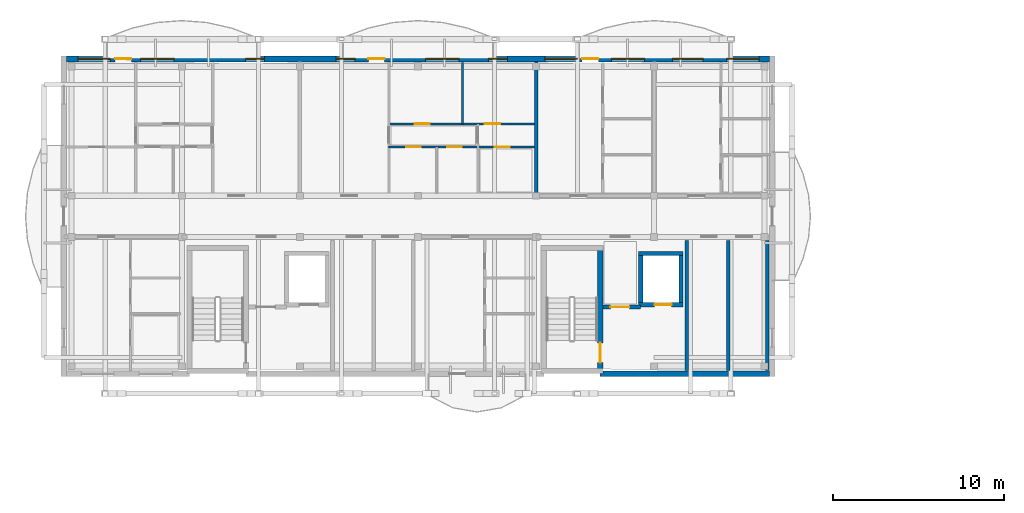
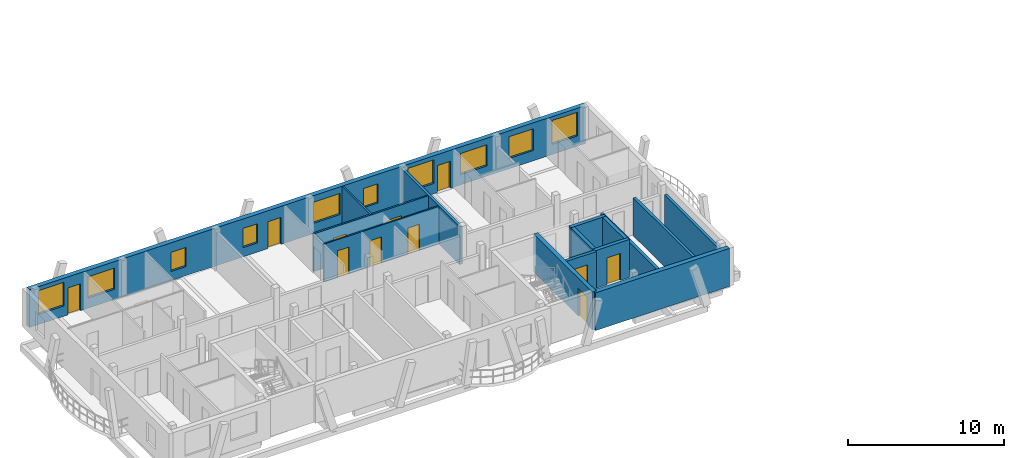
# One storey, part 16 of 29: 15 walls, 11 doors, 10 windows, 21 openings.
"""IFC4 building model written with IfcOpenShell, lengths in metres."""

from ifc_helpers import new_model, si_unit, direction, frame, frame_2d, origin, origin_with_axes, place, context, subcontext, project, spatial, rectangle, extrude, material, layer, layer_set, type_object, element, fill, save


model = new_model("IFC4")

# Units and contexts
model_context = context("Model", 3, precision=1e-05, world=origin(), true_north=direction((0.0, 1.0)))
body_context = subcontext(model_context, "Body", "Model", "MODEL_VIEW")
ifc_project = project(units=[si_unit("LENGTHUNIT", "METRE"), si_unit("AREAUNIT", "SQUARE_METRE"), si_unit("VOLUMEUNIT", "CUBIC_METRE"), si_unit("PLANEANGLEUNIT", "RADIAN"), si_unit("MASSUNIT", "GRAM", prefix="KILO")], contexts=[model_context])

# Site, building, storey
site_placement = place(None, origin())
site = spatial("IfcSite", under=ifc_project, at=site_placement, CompositionType="ELEMENT")
building_placement = place(site_placement, origin())
building = spatial("IfcBuilding", under=site, at=building_placement, Name="Zavelmont Quarter", CompositionType="ELEMENT")
storey_placement = place(building_placement, frame((0.0, 0.0, 33.60009765625)))
storey = spatial("IfcBuildingStorey", under=building, at=storey_placement, Name="L10", CompositionType="ELEMENT", Elevation=33.60009765625)

# Wall
ifc_material_1 = material(Name="Natural Belgian limestone", Category="masonry")
ifc_layer_1 = layer(ifc_material_1, 0.340087890625)
ifc_layer_set_1 = layer_set([ifc_layer_1], Name="Natural Belgian limestone")
wall_type_1 = type_object("IfcWallType", Name="EW03", PredefinedType="STANDARD", material=ifc_layer_set_1)
wall_1_placement = place(storey_placement, frame((31.35009765625, 97.60009765625, 0.0), z_axis=(0.0, 0.0, 1.0), x_axis=(1.0, 0.0, 0.0)))
element("IfcWall", 1, at=wall_1_placement, inside=storey, type_object=wall_type_1, Name="L10 exterior limestone wall EW03", PredefinedType="STANDARD", context=body_context, shape_type="SweptSolid", body=[
    extrude(rectangle(XDim=9.889892578125, YDim=0.340087890625, at=frame_2d((4.94482421875, 0.0))), origin(), (0.0, 0.0, 1.0), 2.9599609375),
])

# Wall, openings, doors, windows
wall_2_placement = place(storey_placement, frame((0.159912109375, 116.0, 0.0), z_axis=(0.0, 0.0, 1.0), x_axis=(1.0, 0.0, 0.0)))
wall_2 = element("IfcWall", 2, at=wall_2_placement, inside=storey, type_object=wall_type_1, Name="L10 exterior limestone wall EW03", PredefinedType="STANDARD", context=body_context, shape_type="SweptSolid", body=[
    extrude(rectangle(XDim=41.080078125, YDim=0.340087890625, at=frame_2d((20.5400390625, 0.0))), origin(), (0.0, 0.0, 1.0), 2.9599609375),
])
opening_1_placement = place(wall_2_placement, frame((2.83544921875, 0.0, 0.0)))
opening_1 = element("IfcOpeningElement", 3, at=opening_1_placement, cuts=wall_2, Name="Opening DR04", PredefinedType="OPENING", context=body_context, shape_type="SweptSolid", body=[
    extrude(rectangle(XDim=0.949951171875, YDim=2.10009765625, at=frame_2d((0.47509765625, 1.050048828125))), frame((0.0, 0.18212890625, 0.0), z_axis=(0.0, -1.0, 0.0), x_axis=(1.0, 0.0, 0.0)), (0.0, 0.0, 1.0), 0.364013671875),
])
opening_2_placement = place(wall_2_placement, frame((17.635498046875, 0.0, 0.0)))
opening_2 = element("IfcOpeningElement", 4, at=opening_2_placement, cuts=wall_2, Name="Opening DR04", PredefinedType="OPENING", context=body_context, shape_type="SweptSolid", body=[
    extrude(rectangle(XDim=0.949951171875, YDim=2.10009765625, at=frame_2d((0.47509765625, 1.050048828125))), frame((0.0, 0.18212890625, 0.0), z_axis=(0.0, -1.0, 0.0), x_axis=(1.0, 0.0, 0.0)), (0.0, 0.0, 1.0), 0.364013671875),
])
opening_3_placement = place(wall_2_placement, frame((30.135498046875, 0.0, 0.0)))
opening_3 = element("IfcOpeningElement", 5, at=opening_3_placement, cuts=wall_2, Name="Opening DR04", PredefinedType="OPENING", context=body_context, shape_type="SweptSolid", body=[
    extrude(rectangle(XDim=0.949951171875, YDim=2.10009765625, at=frame_2d((0.47509765625, 1.050048828125))), frame((0.0, 0.18212890625, 0.0), z_axis=(0.0, -1.0, 0.0), x_axis=(1.0, 0.0, 0.0)), (0.0, 0.0, 1.0), 0.364013671875),
])
opening_4_placement = place(wall_2_placement, frame((0.659912109375, 0.0, 0.800048828125)))
opening_4 = element("IfcOpeningElement", 6, at=opening_4_placement, cuts=wall_2, Name="Opening WN20", PredefinedType="OPENING", context=body_context, shape_type="SweptSolid", body=[
    extrude(rectangle(XDim=1.89990234375, YDim=1.85009765625, at=frame_2d((0.949951171875, 0.925048828125))), frame((0.0, 0.18212890625, 0.0), z_axis=(0.0, -1.0, 0.0), x_axis=(1.0, 0.0, 0.0)), (0.0, 0.0, 1.0), 0.364013671875),
])
opening_5_placement = place(wall_2_placement, frame((4.3349609375, 0.0, 0.800048828125)))
opening_5 = element("IfcOpeningElement", 7, at=opening_5_placement, cuts=wall_2, Name="Opening WN24", PredefinedType="OPENING", context=body_context, shape_type="SweptSolid", body=[
    extrude(rectangle(XDim=1.949951171875, YDim=1.64990234375, at=frame_2d((0.97509765625, 0.824951171875))), frame((0.0, 0.18212890625, 0.0), z_axis=(0.0, -1.0, 0.0), x_axis=(1.0, 0.0, 0.0)), (0.0, 0.0, 1.0), 0.364013671875),
])
opening_6_placement = place(wall_2_placement, frame((10.4599609375, 0.0, 0.719970703125)))
opening_6 = element("IfcOpeningElement", 8, at=opening_6_placement, cuts=wall_2, Name="Opening WN09", PredefinedType="OPENING", context=body_context, shape_type="SweptSolid", body=[
    extrude(rectangle(XDim=1.10009765625, YDim=1.5, at=frame_2d((0.550048828125, 0.75))), frame((0.0, 0.18212890625, 0.0), z_axis=(0.0, -1.0, 0.0), x_axis=(1.0, 0.0, 0.0)), (0.0, 0.0, 1.0), 0.364013671875),
])
opening_7_placement = place(wall_2_placement, frame((15.760009765625, 0.0, 0.719970703125)))
opening_7 = element("IfcOpeningElement", 9, at=opening_7_placement, cuts=wall_2, Name="Opening WN09", PredefinedType="OPENING", context=body_context, shape_type="SweptSolid", body=[
    extrude(rectangle(XDim=1.10009765625, YDim=1.5, at=frame_2d((0.550048828125, 0.75))), frame((0.0, 0.18212890625, 0.0), z_axis=(0.0, -1.0, 0.0), x_axis=(1.0, 0.0, 0.0)), (0.0, 0.0, 1.0), 0.364013671875),
])
opening_8_placement = place(wall_2_placement, frame((20.992431640625, 0.0, 0.800048828125)))
opening_8 = element("IfcOpeningElement", 10, at=opening_8_placement, cuts=wall_2, Name="Opening WN24", PredefinedType="OPENING", context=body_context, shape_type="SweptSolid", body=[
    extrude(rectangle(XDim=1.949951171875, YDim=1.64990234375, at=frame_2d((0.97509765625, 0.824951171875))), frame((0.0, 0.18212890625, 0.0), z_axis=(0.0, -1.0, 0.0), x_axis=(1.0, 0.0, 0.0)), (0.0, 0.0, 1.0), 0.364013671875),
])
opening_9_placement = place(wall_2_placement, frame((24.659912109375, 0.0, 0.719970703125)))
opening_9 = element("IfcOpeningElement", 11, at=opening_9_placement, cuts=wall_2, Name="Opening WN09", PredefinedType="OPENING", context=body_context, shape_type="SweptSolid", body=[
    extrude(rectangle(XDim=1.10009765625, YDim=1.5, at=frame_2d((0.550048828125, 0.75))), frame((0.0, 0.18212890625, 0.0), z_axis=(0.0, -1.0, 0.0), x_axis=(1.0, 0.0, 0.0)), (0.0, 0.0, 1.0), 0.364013671875),
])
opening_10_placement = place(wall_2_placement, frame((27.9599609375, 0.0, 0.800048828125)))
opening_10 = element("IfcOpeningElement", 12, at=opening_10_placement, cuts=wall_2, Name="Opening WN20", PredefinedType="OPENING", context=body_context, shape_type="SweptSolid", body=[
    extrude(rectangle(XDim=1.89990234375, YDim=1.85009765625, at=frame_2d((0.949951171875, 0.925048828125))), frame((0.0, 0.18212890625, 0.0), z_axis=(0.0, -1.0, 0.0), x_axis=(1.0, 0.0, 0.0)), (0.0, 0.0, 1.0), 0.364013671875),
])
opening_11_placement = place(wall_2_placement, frame((31.8349609375, 0.0, 0.800048828125)))
opening_11 = element("IfcOpeningElement", 13, at=opening_11_placement, cuts=wall_2, Name="Opening WN24", PredefinedType="OPENING", context=body_context, shape_type="SweptSolid", body=[
    extrude(rectangle(XDim=1.949951171875, YDim=1.64990234375, at=frame_2d((0.97509765625, 0.824951171875))), frame((0.0, 0.18212890625, 0.0), z_axis=(0.0, -1.0, 0.0), x_axis=(1.0, 0.0, 0.0)), (0.0, 0.0, 1.0), 0.364013671875),
])
opening_12_placement = place(wall_2_placement, frame((35.409912109375, 0.0, 0.800048828125)))
opening_12 = element("IfcOpeningElement", 14, at=opening_12_placement, cuts=wall_2, Name="Opening WN02", PredefinedType="OPENING", context=body_context, shape_type="SweptSolid", body=[
    extrude(rectangle(XDim=1.800048828125, YDim=1.699951171875, at=frame_2d((0.89990234375, 0.85009765625))), frame((0.0, 0.18212890625, 0.0), z_axis=(0.0, -1.0, 0.0), x_axis=(1.0, 0.0, 0.0)), (0.0, 0.0, 1.0), 0.364013671875),
])
opening_13_placement = place(wall_2_placement, frame((38.574951171875, 0.0, 0.800048828125)))
opening_13 = element("IfcOpeningElement", 15, at=opening_13_placement, cuts=wall_2, Name="Opening WN20", PredefinedType="OPENING", context=body_context, shape_type="SweptSolid", body=[
    extrude(rectangle(XDim=1.89990234375, YDim=1.85009765625, at=frame_2d((0.949951171875, 0.925048828125))), frame((0.0, 0.18212890625, 0.0), z_axis=(0.0, -1.0, 0.0), x_axis=(1.0, 0.0, 0.0)), (0.0, 0.0, 1.0), 0.364013671875),
])
ifc_material_2 = material(Name="Thermally broken aluminium and double safety glass", Category="aluminium")
door_type_1 = type_object("IfcDoorType", Name="DR04", OperationType="NOTDEFINED", PredefinedType="DOOR", material=ifc_material_2)
door_1_placement = place(opening_1_placement, frame((0.949951171875, 0.0, 0.0), z_axis=(0.0, 0.0, 1.0), x_axis=(-1.0, 0.0, 0.0)))
door_1 = element("IfcDoor", 16, at=door_1_placement, inside=storey, type_object=door_type_1, Name="Block B L10 glazed balcony door", OperationType="SINGLE_SWING_LEFT", OverallHeight=2.10009765625, OverallWidth=0.949951171875, PredefinedType="DOOR", context=body_context, shape_type="SweptSolid", body=[
    extrude(rectangle(XDim=0.949951171875, YDim=2.10009765625, at=frame_2d((0.47509765625, 1.050048828125))), frame((0.0, 0.02490234375, 0.0), z_axis=(0.0, -1.0, 0.0), x_axis=(1.0, 0.0, 0.0)), (0.0, 0.0, 1.0), 0.050048828125),
])
fill(opening_1, door_1)
door_2_placement = place(opening_2_placement, frame((0.949951171875, 0.0, 0.0), z_axis=(0.0, 0.0, 1.0), x_axis=(-1.0, 0.0, 0.0)))
door_2 = element("IfcDoor", 17, at=door_2_placement, inside=storey, type_object=door_type_1, Name="Block B L10 glazed balcony door", OperationType="SINGLE_SWING_LEFT", OverallHeight=2.10009765625, OverallWidth=0.949951171875, PredefinedType="DOOR", context=body_context, shape_type="SweptSolid", body=[
    extrude(rectangle(XDim=0.949951171875, YDim=2.10009765625, at=frame_2d((0.47509765625, 1.050048828125))), frame((0.0, 0.02490234375, 0.0), z_axis=(0.0, -1.0, 0.0), x_axis=(1.0, 0.0, 0.0)), (0.0, 0.0, 1.0), 0.050048828125),
])
fill(opening_2, door_2)
door_3_placement = place(opening_3_placement, frame((0.949951171875, 0.0, 0.0), z_axis=(0.0, 0.0, 1.0), x_axis=(-1.0, 0.0, 0.0)))
door_3 = element("IfcDoor", 18, at=door_3_placement, inside=storey, type_object=door_type_1, Name="Block B L10 glazed balcony door", OperationType="SINGLE_SWING_LEFT", OverallHeight=2.10009765625, OverallWidth=0.949951171875, PredefinedType="DOOR", context=body_context, shape_type="SweptSolid", body=[
    extrude(rectangle(XDim=0.949951171875, YDim=2.10009765625, at=frame_2d((0.47509765625, 1.050048828125))), frame((0.0, 0.02490234375, 0.0), z_axis=(0.0, -1.0, 0.0), x_axis=(1.0, 0.0, 0.0)), (0.0, 0.0, 1.0), 0.050048828125),
])
fill(opening_3, door_3)
ifc_material_3 = material(Name="Double low-E insulated glazing in thermally broken aluminium frame", Category="aluminium")
window_type_1 = type_object("IfcWindowType", Name="WN02", PartitioningType="SINGLE_PANEL", PredefinedType="WINDOW", material=ifc_material_3)
window_1_placement = place(opening_12_placement, origin_with_axes())
window_1 = element("IfcWindow", 19, at=window_1_placement, inside=storey, type_object=window_type_1, Name="L10 window WN02", OverallHeight=1.699951171875, OverallWidth=1.800048828125, PartitioningType="SINGLE_PANEL", PredefinedType="WINDOW", context=body_context, shape_type="SweptSolid", body=[
    extrude(rectangle(XDim=1.800048828125, YDim=1.699951171875, at=frame_2d((0.89990234375, 0.85009765625))), frame((0.0, 0.030029296875, 0.0), z_axis=(0.0, -1.0, 0.0), x_axis=(1.0, 0.0, 0.0)), (0.0, 0.0, 1.0), 0.06005859375),
])
fill(opening_12, window_1)
window_type_2 = type_object("IfcWindowType", Name="WN09", PartitioningType="SINGLE_PANEL", PredefinedType="WINDOW", material=ifc_material_3)
window_2_placement = place(opening_6_placement, origin_with_axes())
window_2 = element("IfcWindow", 20, at=window_2_placement, inside=storey, type_object=window_type_2, Name="L10 window WN09", OverallHeight=1.5, OverallWidth=1.10009765625, PartitioningType="SINGLE_PANEL", PredefinedType="WINDOW", context=body_context, shape_type="SweptSolid", body=[
    extrude(rectangle(XDim=1.10009765625, YDim=1.5, at=frame_2d((0.550048828125, 0.75))), frame((0.0, 0.030029296875, 0.0), z_axis=(0.0, -1.0, 0.0), x_axis=(1.0, 0.0, 0.0)), (0.0, 0.0, 1.0), 0.06005859375),
])
fill(opening_6, window_2)
window_3_placement = place(opening_7_placement, origin_with_axes())
window_3 = element("IfcWindow", 21, at=window_3_placement, inside=storey, type_object=window_type_2, Name="L10 window WN09", OverallHeight=1.5, OverallWidth=1.10009765625, PartitioningType="SINGLE_PANEL", PredefinedType="WINDOW", context=body_context, shape_type="SweptSolid", body=[
    extrude(rectangle(XDim=1.10009765625, YDim=1.5, at=frame_2d((0.550048828125, 0.75))), frame((0.0, 0.030029296875, 0.0), z_axis=(0.0, -1.0, 0.0), x_axis=(1.0, 0.0, 0.0)), (0.0, 0.0, 1.0), 0.06005859375),
])
fill(opening_7, window_3)
window_4_placement = place(opening_9_placement, origin_with_axes())
window_4 = element("IfcWindow", 22, at=window_4_placement, inside=storey, type_object=window_type_2, Name="L10 window WN09", OverallHeight=1.5, OverallWidth=1.10009765625, PartitioningType="SINGLE_PANEL", PredefinedType="WINDOW", context=body_context, shape_type="SweptSolid", body=[
    extrude(rectangle(XDim=1.10009765625, YDim=1.5, at=frame_2d((0.550048828125, 0.75))), frame((0.0, 0.030029296875, 0.0), z_axis=(0.0, -1.0, 0.0), x_axis=(1.0, 0.0, 0.0)), (0.0, 0.0, 1.0), 0.06005859375),
])
fill(opening_9, window_4)
window_type_3 = type_object("IfcWindowType", Name="WN20", PartitioningType="SINGLE_PANEL", PredefinedType="WINDOW", material=ifc_material_3)
window_5_placement = place(opening_4_placement, origin_with_axes())
window_5 = element("IfcWindow", 23, at=window_5_placement, inside=storey, type_object=window_type_3, Name="L10 window WN20", OverallHeight=1.85009765625, OverallWidth=1.89990234375, PartitioningType="SINGLE_PANEL", PredefinedType="WINDOW", context=body_context, shape_type="SweptSolid", body=[
    extrude(rectangle(XDim=1.89990234375, YDim=1.85009765625, at=frame_2d((0.949951171875, 0.925048828125))), frame((0.0, 0.030029296875, 0.0), z_axis=(0.0, -1.0, 0.0), x_axis=(1.0, 0.0, 0.0)), (0.0, 0.0, 1.0), 0.06005859375),
])
fill(opening_4, window_5)
window_6_placement = place(opening_10_placement, origin_with_axes())
window_6 = element("IfcWindow", 24, at=window_6_placement, inside=storey, type_object=window_type_3, Name="L10 window WN20", OverallHeight=1.85009765625, OverallWidth=1.89990234375, PartitioningType="SINGLE_PANEL", PredefinedType="WINDOW", context=body_context, shape_type="SweptSolid", body=[
    extrude(rectangle(XDim=1.89990234375, YDim=1.85009765625, at=frame_2d((0.949951171875, 0.925048828125))), frame((0.0, 0.030029296875, 0.0), z_axis=(0.0, -1.0, 0.0), x_axis=(1.0, 0.0, 0.0)), (0.0, 0.0, 1.0), 0.06005859375),
])
fill(opening_10, window_6)
window_7_placement = place(opening_13_placement, origin_with_axes())
window_7 = element("IfcWindow", 25, at=window_7_placement, inside=storey, type_object=window_type_3, Name="L10 window WN20", OverallHeight=1.85009765625, OverallWidth=1.89990234375, PartitioningType="SINGLE_PANEL", PredefinedType="WINDOW", context=body_context, shape_type="SweptSolid", body=[
    extrude(rectangle(XDim=1.89990234375, YDim=1.85009765625, at=frame_2d((0.949951171875, 0.925048828125))), frame((0.0, 0.030029296875, 0.0), z_axis=(0.0, -1.0, 0.0), x_axis=(1.0, 0.0, 0.0)), (0.0, 0.0, 1.0), 0.06005859375),
])
fill(opening_13, window_7)
window_type_4 = type_object("IfcWindowType", Name="WN24", PartitioningType="SINGLE_PANEL", PredefinedType="WINDOW", material=ifc_material_3)
window_8_placement = place(opening_5_placement, origin_with_axes())
window_8 = element("IfcWindow", 26, at=window_8_placement, inside=storey, type_object=window_type_4, Name="L10 window WN24", OverallHeight=1.64990234375, OverallWidth=1.949951171875, PartitioningType="SINGLE_PANEL", PredefinedType="WINDOW", context=body_context, shape_type="SweptSolid", body=[
    extrude(rectangle(XDim=1.949951171875, YDim=1.64990234375, at=frame_2d((0.97509765625, 0.824951171875))), frame((0.0, 0.030029296875, 0.0), z_axis=(0.0, -1.0, 0.0), x_axis=(1.0, 0.0, 0.0)), (0.0, 0.0, 1.0), 0.06005859375),
])
fill(opening_5, window_8)
window_9_placement = place(opening_8_placement, origin_with_axes())
window_9 = element("IfcWindow", 27, at=window_9_placement, inside=storey, type_object=window_type_4, Name="L10 window WN24", OverallHeight=1.64990234375, OverallWidth=1.949951171875, PartitioningType="SINGLE_PANEL", PredefinedType="WINDOW", context=body_context, shape_type="SweptSolid", body=[
    extrude(rectangle(XDim=1.949951171875, YDim=1.64990234375, at=frame_2d((0.97509765625, 0.824951171875))), frame((0.0, 0.030029296875, 0.0), z_axis=(0.0, -1.0, 0.0), x_axis=(1.0, 0.0, 0.0)), (0.0, 0.0, 1.0), 0.06005859375),
])
fill(opening_8, window_9)
window_10_placement = place(opening_11_placement, origin_with_axes())
window_10 = element("IfcWindow", 28, at=window_10_placement, inside=storey, type_object=window_type_4, Name="L10 window WN24", OverallHeight=1.64990234375, OverallWidth=1.949951171875, PartitioningType="SINGLE_PANEL", PredefinedType="WINDOW", context=body_context, shape_type="SweptSolid", body=[
    extrude(rectangle(XDim=1.949951171875, YDim=1.64990234375, at=frame_2d((0.97509765625, 0.824951171875))), frame((0.0, 0.030029296875, 0.0), z_axis=(0.0, -1.0, 0.0), x_axis=(1.0, 0.0, 0.0)), (0.0, 0.0, 1.0), 0.06005859375),
])
fill(opening_11, window_10)

# Walls
ifc_material_4 = material(Name="Calcium-silicate blockwork and acoustic plaster", Category="masonry")
ifc_layer_2 = layer(ifc_material_4, 0.199951171875)
ifc_layer_set_2 = layer_set([ifc_layer_2], Name="Calcium-silicate blockwork and acoustic plaster")
wall_type_2 = type_object("IfcWallType", Name="IW01", PredefinedType="PARTITIONING", material=ifc_layer_set_2)
wall_3_placement = place(storey_placement, frame((38.824951171875, 97.800048828125, 0.0), z_axis=(0.0, 0.0, 1.0), x_axis=(0.0, 1.0, 0.0)))
element("IfcWall", 29, at=wall_3_placement, inside=storey, type_object=wall_type_2, Name="L10 Service riser divider wall IW01", PredefinedType="PARTITIONING", context=body_context, shape_type="SweptSolid", body=[
    extrude(rectangle(XDim=7.599853515625, YDim=0.199951171875, at=frame_2d((3.7998046875, 0.0))), origin(), (0.0, 0.0, 1.0), 2.9599609375),
])
wall_4_placement = place(storey_placement, frame((41.1201171875, 97.800048828125, 0.0), z_axis=(0.0, 0.0, 1.0), x_axis=(0.0, 1.0, 0.0)))
element("IfcWall", 30, at=wall_4_placement, inside=storey, type_object=wall_type_2, Name="L10 Core service end wall IW01", PredefinedType="PARTITIONING", context=body_context, shape_type="SweptSolid", body=[
    extrude(rectangle(XDim=7.599853515625, YDim=0.199951171875, at=frame_2d((3.7998046875, 0.0))), origin(), (0.0, 0.0, 1.0), 2.39990234375),
])
wall_5_placement = place(storey_placement, frame((27.60009765625, 108.14990234375, 0.0), z_axis=(0.0, 0.0, 1.0), x_axis=(0.0, 1.0, 0.0)))
element("IfcWall", 31, at=wall_5_placement, inside=storey, type_object=wall_type_2, Name="L10 Inter-dwelling compartment wall IW01", PredefinedType="PARTITIONING", context=body_context, shape_type="SweptSolid", body=[
    extrude(rectangle(XDim=7.7001953125, YDim=0.199951171875, at=frame_2d((3.85009765625, 0.0))), origin(), (0.0, 0.0, 1.0), 2.9599609375),
])
ifc_material_5 = material(Name="Reinforced masonry fire compartment wall", Category="masonry")
ifc_layer_3 = layer(ifc_material_5, 0.22509765625)
ifc_layer_set_3 = layer_set([ifc_layer_3], Name="Reinforced masonry fire compartment wall")
wall_type_3 = type_object("IfcWallType", Name="IW02", PredefinedType="PARTITIONING", material=ifc_layer_set_3)
wall_6_placement = place(storey_placement, frame((36.409912109375, 97.800048828125, 0.0), z_axis=(0.0, 0.0, 1.0), x_axis=(0.0, 1.0, 0.0)))
element("IfcWall", 32, at=wall_6_placement, inside=storey, type_object=wall_type_3, Name="L10 Firefighting lobby enclosure wall IW02", PredefinedType="PARTITIONING", context=body_context, shape_type="SweptSolid", body=[
    extrude(rectangle(XDim=7.599853515625, YDim=0.22509765625, at=frame_2d((3.7998046875, 0.0))), origin(), (0.0, 0.0, 1.0), 2.58984375),
])

# Wall, opening, door
wall_7_placement = place(storey_placement, frame((31.5, 101.5, 0.0), z_axis=(0.0, 0.0, 1.0), x_axis=(1.0, 0.0, 0.0)))
wall_7 = element("IfcWall", 33, at=wall_7_placement, inside=storey, type_object=wall_type_3, Name="L10 Firefighting lobby threshold wall IW02", PredefinedType="PARTITIONING", context=body_context, shape_type="SweptSolid", body=[
    extrude(rectangle(XDim=2.199951171875, YDim=0.22509765625, at=frame_2d((1.10009765625, 0.0))), origin(), (0.0, 0.0, 1.0), 2.9599609375),
])
opening_14_placement = place(wall_7_placement, frame((0.449951171875, 0.0, 0.0)))
opening_14 = element("IfcOpeningElement", 34, at=opening_14_placement, cuts=wall_7, Name="Opening DR10", PredefinedType="OPENING", context=body_context, shape_type="SweptSolid", body=[
    extrude(rectangle(XDim=1.10009765625, YDim=2.14990234375, at=frame_2d((0.550048828125, 1.074951171875))), frame((0.0, 0.12451171875, 0.0), z_axis=(0.0, -1.0, 0.0), x_axis=(1.0, 0.0, 0.0)), (0.0, 0.0, 1.0), 0.2490234375),
])
ifc_material_6 = material(Name="Painted steel lobby fire door", Category="steel")
door_type_2 = type_object("IfcDoorType", Name="DR10", OperationType="NOTDEFINED", PredefinedType="DOOR", material=ifc_material_6)
door_4_placement = place(opening_14_placement, frame((1.10009765625, 0.0, 0.0), z_axis=(0.0, 0.0, 1.0), x_axis=(-1.0, 0.0, 0.0)))
door_4 = element("IfcDoor", 35, at=door_4_placement, inside=storey, type_object=door_type_2, Name="Firefighting lobby fire door", OperationType="SINGLE_SWING_LEFT", OverallHeight=2.14990234375, OverallWidth=1.10009765625, PredefinedType="DOOR", context=body_context, shape_type="SweptSolid", body=[
    extrude(rectangle(XDim=1.10009765625, YDim=2.14990234375, at=frame_2d((0.550048828125, 1.074951171875))), frame((0.0, 0.02490234375, 0.0), z_axis=(0.0, -1.0, 0.0), x_axis=(1.0, 0.0, 0.0)), (0.0, 0.0, 1.0), 0.050048828125),
])
fill(opening_14, door_4)

# Wall
ifc_material_7 = material(Name="Double gypsum board on acoustic steel stud", Category="steel")
ifc_layer_4 = layer(ifc_material_7, 0.125)
ifc_layer_set_4 = layer_set([ifc_layer_4], Name="Double gypsum board on acoustic steel stud")
wall_type_4 = type_object("IfcWallType", Name="IW03", PredefinedType="PARTITIONING", material=ifc_layer_set_4)
wall_8_placement = place(storey_placement, frame((23.300048828125, 112.199951171875, 0.0), z_axis=(0.0, 0.0, 1.0), x_axis=(0.0, 1.0, 0.0)))
element("IfcWall", 36, at=wall_8_placement, inside=storey, type_object=wall_type_4, Name="L10 Partition IW03", PredefinedType="PARTITIONING", context=body_context, shape_type="SweptSolid", body=[
    extrude(rectangle(XDim=3.60009765625, YDim=0.125, at=frame_2d((1.800048828125, 0.0))), origin(), (0.0, 0.0, 1.0), 2.9599609375),
])

# Wall, openings, doors
wall_9_placement = place(storey_placement, frame((19.0, 112.199951171875, 0.0), z_axis=(0.0, 0.0, 1.0), x_axis=(1.0, 0.0, 0.0)))
wall_9 = element("IfcWall", 37, at=wall_9_placement, inside=storey, type_object=wall_type_4, Name="L10 Partition IW03", PredefinedType="PARTITIONING", context=body_context, shape_type="SweptSolid", body=[
    extrude(rectangle(XDim=8.5, YDim=0.125, at=frame_2d((4.25, 0.0))), origin(), (0.0, 0.0, 1.0), 2.9599609375),
])
opening_15_placement = place(wall_9_placement, frame((1.5, 0.0, 0.0)))
opening_15 = element("IfcOpeningElement", 38, at=opening_15_placement, cuts=wall_9, Name="Opening DR05", PredefinedType="OPENING", context=body_context, shape_type="SweptSolid", body=[
    extrude(rectangle(XDim=0.89990234375, YDim=2.10009765625, at=frame_2d((0.449951171875, 1.050048828125))), frame((0.0, 0.074462890625, 0.0), z_axis=(0.0, -1.0, 0.0), x_axis=(1.0, 0.0, 0.0)), (0.0, 0.0, 1.0), 0.14892578125),
])
opening_16_placement = place(wall_9_placement, frame((5.60009765625, 0.0, 0.0)))
opening_16 = element("IfcOpeningElement", 39, at=opening_16_placement, cuts=wall_9, Name="Opening DR05", PredefinedType="OPENING", context=body_context, shape_type="SweptSolid", body=[
    extrude(rectangle(XDim=0.89990234375, YDim=2.10009765625, at=frame_2d((0.449951171875, 1.050048828125))), frame((0.0, 0.074462890625, 0.0), z_axis=(0.0, -1.0, 0.0), x_axis=(1.0, 0.0, 0.0)), (0.0, 0.0, 1.0), 0.14892578125),
])
ifc_material_8 = material(Name="Engineered oak flush interior door")
door_type_3 = type_object("IfcDoorType", Name="DR05", OperationType="NOTDEFINED", PredefinedType="DOOR", material=ifc_material_8)
door_5_placement = place(opening_15_placement, origin_with_axes())
door_5 = element("IfcDoor", 40, at=door_5_placement, inside=storey, type_object=door_type_3, Name="L10 door DR05", OperationType="SINGLE_SWING_RIGHT", OverallHeight=2.10009765625, OverallWidth=0.89990234375, PredefinedType="DOOR", context=body_context, shape_type="SweptSolid", body=[
    extrude(rectangle(XDim=0.89990234375, YDim=2.10009765625, at=frame_2d((0.449951171875, 1.050048828125))), frame((0.0, 0.02490234375, 0.0), z_axis=(0.0, -1.0, 0.0), x_axis=(1.0, 0.0, 0.0)), (0.0, 0.0, 1.0), 0.050048828125),
])
fill(opening_15, door_5)
door_6_placement = place(opening_16_placement, frame((0.89990234375, 0.0, 0.0), z_axis=(0.0, 0.0, 1.0), x_axis=(-1.0, 0.0, 0.0)))
door_6 = element("IfcDoor", 41, at=door_6_placement, inside=storey, type_object=door_type_3, Name="L10 door DR05", OperationType="SINGLE_SWING_LEFT", OverallHeight=2.10009765625, OverallWidth=0.89990234375, PredefinedType="DOOR", context=body_context, shape_type="SweptSolid", body=[
    extrude(rectangle(XDim=0.89990234375, YDim=2.10009765625, at=frame_2d((0.449951171875, 1.050048828125))), frame((0.0, 0.02490234375, 0.0), z_axis=(0.0, -1.0, 0.0), x_axis=(1.0, 0.0, 0.0)), (0.0, 0.0, 1.0), 0.050048828125),
])
fill(opening_16, door_6)

ifc_material_9 = material(Name="Moisture-resistant gypsum board on steel stud", Category="steel")
ifc_layer_5 = layer(ifc_material_9, 0.10009765625)
ifc_layer_set_5 = layer_set([ifc_layer_5], Name="Moisture-resistant gypsum board on steel stud")
wall_type_5 = type_object("IfcWallType", Name="IW04", PredefinedType="PARTITIONING", material=ifc_layer_set_5)
wall_10_placement = place(storey_placement, frame((19.0, 110.85009765625, 0.0), z_axis=(0.0, 0.0, 1.0), x_axis=(1.0, 0.0, 0.0)))
wall_10 = element("IfcWall", 42, at=wall_10_placement, inside=storey, type_object=wall_type_5, Name="L10 Partition IW04", PredefinedType="PARTITIONING", context=body_context, shape_type="SweptSolid", body=[
    extrude(rectangle(XDim=8.5, YDim=0.10009765625, at=frame_2d((4.25, 0.0))), origin(), (0.0, 0.0, 1.0), 2.9599609375),
])
opening_17_placement = place(wall_10_placement, frame((1.0, 0.0, 0.0)))
opening_17 = element("IfcOpeningElement", 43, at=opening_17_placement, cuts=wall_10, Name="Opening DR16", PredefinedType="OPENING", context=body_context, shape_type="SweptSolid", body=[
    extrude(rectangle(XDim=0.85009765625, YDim=2.10009765625, at=frame_2d((0.425048828125, 1.050048828125))), frame((0.0, 0.06201171875, 0.0), z_axis=(0.0, -1.0, 0.0), x_axis=(1.0, 0.0, 0.0)), (0.0, 0.0, 1.0), 0.1240234375),
])
opening_18_placement = place(wall_10_placement, frame((3.39990234375, 0.0, 0.0)))
opening_18 = element("IfcOpeningElement", 44, at=opening_18_placement, cuts=wall_10, Name="Opening DR06", PredefinedType="OPENING", context=body_context, shape_type="SweptSolid", body=[
    extrude(rectangle(XDim=0.85009765625, YDim=2.050048828125, at=frame_2d((0.425048828125, 1.02490234375))), frame((0.0, 0.06201171875, 0.0), z_axis=(0.0, -1.0, 0.0), x_axis=(1.0, 0.0, 0.0)), (0.0, 0.0, 1.0), 0.1240234375),
])
opening_19_placement = place(wall_10_placement, frame((6.199951171875, 0.0, 0.0)))
opening_19 = element("IfcOpeningElement", 45, at=opening_19_placement, cuts=wall_10, Name="Opening DR06", PredefinedType="OPENING", context=body_context, shape_type="SweptSolid", body=[
    extrude(rectangle(XDim=0.85009765625, YDim=2.050048828125, at=frame_2d((0.425048828125, 1.02490234375))), frame((0.0, 0.06201171875, 0.0), z_axis=(0.0, -1.0, 0.0), x_axis=(1.0, 0.0, 0.0)), (0.0, 0.0, 1.0), 0.1240234375),
])
ifc_material_10 = material(Name="Moisture-resistant painted wet-room door")
door_type_4 = type_object("IfcDoorType", Name="DR06", OperationType="NOTDEFINED", PredefinedType="DOOR", material=ifc_material_10)
door_7_placement = place(opening_18_placement, origin_with_axes())
door_7 = element("IfcDoor", 46, at=door_7_placement, inside=storey, type_object=door_type_4, Name="L10 door DR06", OperationType="SINGLE_SWING_RIGHT", OverallHeight=2.050048828125, OverallWidth=0.85009765625, PredefinedType="DOOR", context=body_context, shape_type="SweptSolid", body=[
    extrude(rectangle(XDim=0.85009765625, YDim=2.050048828125, at=frame_2d((0.425048828125, 1.02490234375))), frame((0.0, 0.02490234375, 0.0), z_axis=(0.0, -1.0, 0.0), x_axis=(1.0, 0.0, 0.0)), (0.0, 0.0, 1.0), 0.050048828125),
])
fill(opening_18, door_7)
door_8_placement = place(opening_19_placement, frame((0.85009765625, 0.0, 0.0), z_axis=(0.0, 0.0, 1.0), x_axis=(-1.0, 0.0, 0.0)))
door_8 = element("IfcDoor", 47, at=door_8_placement, inside=storey, type_object=door_type_4, Name="L10 door DR06", OperationType="SINGLE_SWING_LEFT", OverallHeight=2.050048828125, OverallWidth=0.85009765625, PredefinedType="DOOR", context=body_context, shape_type="SweptSolid", body=[
    extrude(rectangle(XDim=0.85009765625, YDim=2.050048828125, at=frame_2d((0.425048828125, 1.02490234375))), frame((0.0, 0.02490234375, 0.0), z_axis=(0.0, -1.0, 0.0), x_axis=(1.0, 0.0, 0.0)), (0.0, 0.0, 1.0), 0.050048828125),
])
fill(opening_19, door_8)
door_type_5 = type_object("IfcDoorType", Name="DR16", OperationType="NOTDEFINED", PredefinedType="DOOR", material=ifc_material_8)
door_9_placement = place(opening_17_placement, frame((0.85009765625, 0.0, 0.0), z_axis=(0.0, 0.0, 1.0), x_axis=(-1.0, 0.0, 0.0)))
door_9 = element("IfcDoor", 48, at=door_9_placement, inside=storey, type_object=door_type_5, Name="L10 door DR16", OperationType="SINGLE_SWING_LEFT", OverallHeight=2.10009765625, OverallWidth=0.85009765625, PredefinedType="DOOR", context=body_context, shape_type="SweptSolid", body=[
    extrude(rectangle(XDim=0.85009765625, YDim=2.10009765625, at=frame_2d((0.425048828125, 1.050048828125))), frame((0.0, 0.02490234375, 0.0), z_axis=(0.0, -1.0, 0.0), x_axis=(1.0, 0.0, 0.0)), (0.0, 0.0, 1.0), 0.050048828125),
])
fill(opening_17, door_9)

# Wall, opening, door
ifc_material_11 = material(Name="Concrete C40/50", Category="concrete")
ifc_layer_6 = layer(ifc_material_11, 0.300048828125)
ifc_layer_set_6 = layer_set([ifc_layer_6], Name="Concrete C40/50")
wall_type_6 = type_object("IfcWallType", Name="SW01", PredefinedType="SHEAR", material=ifc_layer_set_6)
wall_11_placement = place(storey_placement, frame((31.35009765625, 97.60009765625, 0.0), z_axis=(0.0, 0.0, 1.0), x_axis=(0.0, 1.0, 0.0)))
wall_11 = element("IfcWall", 49, at=wall_11_placement, inside=storey, type_object=wall_type_6, Name="L10 ST04 lobby shear wall SW01", PredefinedType="SHEAR", context=body_context, shape_type="SweptSolid", body=[
    extrude(rectangle(XDim=7.5, YDim=0.300048828125, at=frame_2d((3.75, 0.0))), origin(), (0.0, 0.0, 1.0), 2.9599609375),
])
opening_20_placement = place(wall_11_placement, frame((0.64990234375, 0.0, 0.0)))
opening_20 = element("IfcOpeningElement", 50, at=opening_20_placement, cuts=wall_11, Name="Opening DR09", PredefinedType="OPENING", context=body_context, shape_type="SweptSolid", body=[
    extrude(rectangle(XDim=1.14990234375, YDim=2.14990234375, at=frame_2d((0.574951171875, 1.074951171875))), frame((0.0, 0.162109375, 0.0), z_axis=(0.0, -1.0, 0.0), x_axis=(1.0, 0.0, 0.0)), (0.0, 0.0, 1.0), 0.323974609375),
])
ifc_material_12 = material(Name="Painted steel stair-core fire door", Category="steel")
door_type_6 = type_object("IfcDoorType", Name="DR09", OperationType="NOTDEFINED", PredefinedType="DOOR", material=ifc_material_12)
door_10_placement = place(opening_20_placement, origin_with_axes())
door_10 = element("IfcDoor", 51, at=door_10_placement, inside=storey, type_object=door_type_6, Name="ST04 protected stair door", OperationType="SINGLE_SWING_RIGHT", OverallHeight=2.14990234375, OverallWidth=1.14990234375, PredefinedType="DOOR", context=body_context, shape_type="SweptSolid", body=[
    extrude(rectangle(XDim=1.14990234375, YDim=2.14990234375, at=frame_2d((0.574951171875, 1.074951171875))), frame((0.0, 0.02490234375, 0.0), z_axis=(0.0, -1.0, 0.0), x_axis=(1.0, 0.0, 0.0)), (0.0, 0.0, 1.0), 0.050048828125),
])
fill(opening_20, door_10)

ifc_layer_7 = layer(ifc_material_11, 0.25)
ifc_layer_set_7 = layer_set([ifc_layer_7], Name="Concrete C40/50")
wall_type_7 = type_object("IfcWallType", Name="SW02", PredefinedType="SHEAR", material=ifc_layer_set_7)
wall_12_placement = place(storey_placement, frame((33.60009765625, 101.625, 0.0), z_axis=(0.0, 0.0, 1.0), x_axis=(1.0, 0.0, 0.0)))
wall_12 = element("IfcWall", 52, at=wall_12_placement, inside=storey, type_object=wall_type_7, Name="L10 Lift LF04 landing shaft wall SW02", PredefinedType="SHEAR", context=body_context, shape_type="SweptSolid", body=[
    extrude(rectangle(XDim=2.599853515625, YDim=0.25, at=frame_2d((1.2998046875, 0.0))), origin(), (0.0, 0.0, 1.0), 2.9599609375),
])
opening_21_placement = place(wall_12_placement, frame((0.925048828125, 0.0, 0.0)))
opening_21 = element("IfcOpeningElement", 53, at=opening_21_placement, cuts=wall_12, Name="Opening LD01", PredefinedType="OPENING", context=body_context, shape_type="SweptSolid", body=[
    extrude(rectangle(XDim=1.0, YDim=2.10009765625, at=frame_2d((0.5, 1.050048828125))), frame((0.0, 0.136962890625, 0.0), z_axis=(0.0, -1.0, 0.0), x_axis=(1.0, 0.0, 0.0)), (0.0, 0.0, 1.0), 0.27392578125),
])
ifc_material_13 = material(Name="Brushed stainless-steel automatic sliding landing door", Category="steel")
door_type_7 = type_object("IfcDoorType", Name="LD01", OperationType="SLIDING_TO_LEFT", PredefinedType="DOOR", material=ifc_material_13)
door_11_placement = place(opening_21_placement, origin_with_axes())
door_11 = element("IfcDoor", 54, at=door_11_placement, inside=storey, type_object=door_type_7, Name="Lift LF04 sliding landing door", OperationType="SLIDING_TO_LEFT", OverallHeight=2.10009765625, OverallWidth=1.0, PredefinedType="DOOR", context=body_context, shape_type="SweptSolid", body=[
    extrude(rectangle(XDim=1.0, YDim=2.10009765625, at=frame_2d((0.5, 1.050048828125))), frame((0.0, 0.02490234375, 0.0), z_axis=(0.0, -1.0, 0.0), x_axis=(1.0, 0.0, 0.0)), (0.0, 0.0, 1.0), 0.050048828125),
])
fill(opening_21, door_11)

# Walls
wall_13_placement = place(storey_placement, frame((33.60009765625, 104.625, 0.0), z_axis=(0.0, 0.0, 1.0), x_axis=(1.0, 0.0, 0.0)))
element("IfcWall", 55, at=wall_13_placement, inside=storey, type_object=wall_type_7, Name="L10 Lift LF04 back shaft wall SW02", PredefinedType="SHEAR", context=body_context, shape_type="SweptSolid", body=[
    extrude(rectangle(XDim=2.599853515625, YDim=0.25, at=frame_2d((1.2998046875, 0.0))), origin(), (0.0, 0.0, 1.0), 2.9599609375),
])
for number, where, z_axis, x_axis, name in (
    (56, (33.72509765625, 101.5, 0.0), (0.0, 0.0, 1.0), (0.0, 1.0, 0.0), "L10 Lift LF04 west shaft wall SW02"),
    (57, (36.074951171875, 101.5, 0.0), (0.0, 0.0, 1.0), (0.0, 1.0, 0.0), "L10 Lift LF04 east shaft wall SW02"),
):
    element("IfcWall", number, at=place(storey_placement, frame(where, z_axis=z_axis, x_axis=x_axis)), inside=storey, type_object=wall_type_7, Name=name, PredefinedType="SHEAR", context=body_context, shape_type="SweptSolid", body=[
        extrude(rectangle(XDim=3.25, YDim=0.25, at=frame_2d((1.625, 0.0))), origin(), (0.0, 0.0, 1.0), 2.9599609375),
    ])

save(model, "model.ifc")
